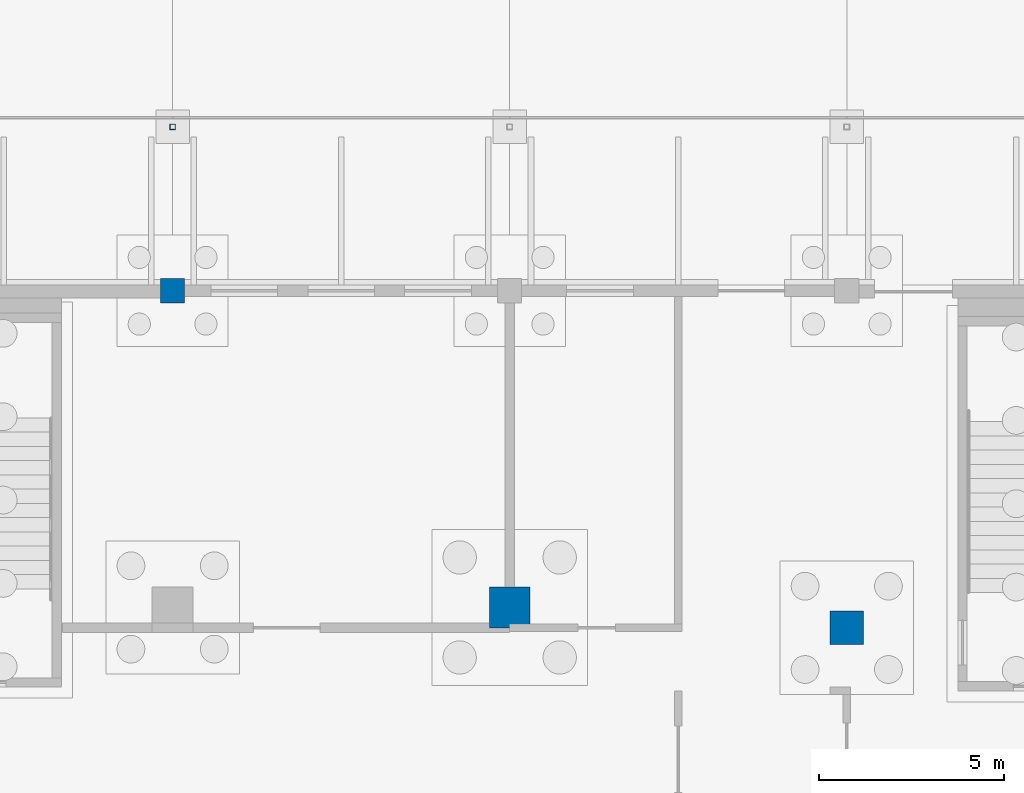
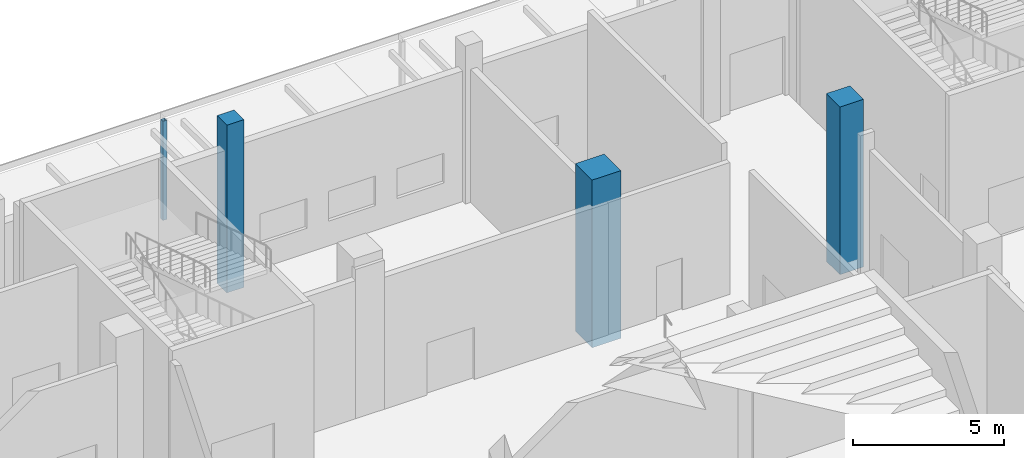
# One storey, part 33 of 129: 4 columns.
"""IFC4 building model written with IfcOpenShell, lengths in metres."""

import ifcopenshell
import ifcopenshell.guid

model = None  # the IFC model being written
_history = None  # IfcOwnerHistory: only IFC2X3 demands one
_inside = {}  # id of a spatial element -> (the spatial element, [elements in it])
_under = {}  # id of a project, library or spatial element -> (it, [spatial elements below it])
_declared = {}  # id of a project -> (the project, [libraries it declares])
_typed = {}  # id of a type object -> (the type object, [elements of that type])
_made_of = {}  # id of a material, layer set ... -> (it, [elements and type objects made of it])


def new_model(schema):
    """Start an empty IFC model of exactly this schema.

    Asked for "IFC4X3", IfcOpenShell would pick the latest addendum, in which some entities
    have other attributes; the version numbers below select the first issue.
    IFC2X3 requires an IfcOwnerHistory on every rooted entity: one is made here for all.
    """
    global model, _history
    if schema == "IFC4X3":
        model = ifcopenshell.file(schema_version=(4, 3, 0, 0))
    else:
        model = ifcopenshell.file(schema=schema)
    _inside.clear()
    _under.clear()
    _declared.clear()
    _typed.clear()
    _made_of.clear()
    _history = None
    if model.schema == "IFC2X3":
        org = make("IfcOrganization", Name="unknown")
        user = make(
            "IfcPersonAndOrganization",
            ThePerson=make("IfcPerson", FamilyName="unknown"),
            TheOrganization=org,
        )
        app = make(
            "IfcApplication",
            ApplicationDeveloper=org,
            Version="unknown",
            ApplicationFullName="unknown",
            ApplicationIdentifier="unknown",
        )
        _history = make(
            "IfcOwnerHistory",
            OwningUser=user,
            OwningApplication=app,
            ChangeAction="ADDED",
            CreationDate=0,
        )
    return model


def make(cls, **values):
    """One entity of the class cls with the attributes given. An attribute that is None is left unset."""
    return model.create_entity(
        cls, **{name: value for name, value in values.items() if value is not None}
    )


def rooted(cls, **values):
    """An entity with a GlobalId (a new one), such as an element, a storey or a relation."""
    return make(cls, GlobalId=ifcopenshell.guid.new(), OwnerHistory=_history, **values)


def si_unit(unit_type, name, prefix=None):
    """IfcSIUnit, for example si_unit("LENGTHUNIT", "METRE", prefix="MILLI")."""
    return make("IfcSIUnit", UnitType=unit_type, Prefix=prefix, Name=name)


def assignment(units):
    """IfcUnitAssignment: the units of a project."""
    return None if units is None else make("IfcUnitAssignment", Units=units)


def point(xyz):
    """IfcCartesianPoint."""
    return None if xyz is None else make("IfcCartesianPoint", Coordinates=xyz)


def direction(xyz):
    """IfcDirection."""
    return None if xyz is None else make("IfcDirection", DirectionRatios=xyz)


def frame(location, z_axis=None, x_axis=None):
    """IfcAxis2Placement3D, a coordinate frame: its origin and axes. An axis left out is left unset."""
    return make(
        "IfcAxis2Placement3D",
        Location=point(location),
        Axis=direction(z_axis),
        RefDirection=direction(x_axis),
    )


def frame_2d(location, x_axis=None):
    """IfcAxis2Placement2D, a coordinate frame in the plane: its origin and x axis."""
    return make(
        "IfcAxis2Placement2D", Location=point(location), RefDirection=direction(x_axis)
    )


def origin():
    """The frame at (0, 0, 0) with its axes left unset."""
    return frame((0.0, 0.0, 0.0))


def origin_2d():
    """The frame at (0, 0) in the plane with its x axis left unset."""
    return frame_2d((0.0, 0.0))


def place(relative_to, where):
    """IfcLocalPlacement: puts the frame where relative to a parent placement (None: the world)."""
    return make(
        "IfcLocalPlacement", PlacementRelTo=relative_to, RelativePlacement=where
    )


def context(
    kind, dimensions, precision=None, world=None, true_north=None, identifier=None
):
    """IfcGeometricRepresentationContext, for example the 3D "Model" context."""
    return make(
        "IfcGeometricRepresentationContext",
        ContextIdentifier=identifier,
        ContextType=kind,
        CoordinateSpaceDimension=dimensions,
        Precision=precision,
        WorldCoordinateSystem=world,
        TrueNorth=true_north,
    )


def subcontext(parent, identifier, kind, view, scale=None):
    """IfcGeometricRepresentationSubContext, for example "Body" below "Model"."""
    return make(
        "IfcGeometricRepresentationSubContext",
        ContextIdentifier=identifier,
        ContextType=kind,
        ParentContext=parent,
        TargetScale=scale,
        TargetView=view,
    )


def project(units=None, contexts=None):
    """IfcProject with its units and contexts."""
    return rooted(
        "IfcProject",
        Name="project",
        RepresentationContexts=contexts,
        UnitsInContext=assignment(units),
    )


def spatial(cls, under=None, at=None, **own):
    """A site, building, storey or space (cls), placed at a placement, below another one or the project."""
    s = rooted(cls, ObjectPlacement=at, **own)
    if under is not None:
        _under.setdefault(under.id(), (under, []))[1].append(s)
    return s


def profile(cls, at=None, kind="AREA", **sizes):
    """A parametric profile (cls). Its sizes go by their IFC names, for example OverallWidth=200.0."""
    return make(cls, ProfileType=kind, Position=at, **sizes)


def rectangle(**sizes):
    """IfcRectangleProfileDef."""
    return profile("IfcRectangleProfileDef", **sizes)


def hollow_rectangle(**sizes):
    """IfcRectangleHollowProfileDef."""
    return profile("IfcRectangleHollowProfileDef", **sizes)


def extrude(swept, where, along, depth):
    """IfcExtrudedAreaSolid: the profile swept, set in the frame where, extruded along a direction by depth."""
    return make(
        "IfcExtrudedAreaSolid",
        SweptArea=swept,
        Position=where,
        ExtrudedDirection=direction(along),
        Depth=depth,
    )


def shape(context_of_items, identifier, shape_type, items):
    """IfcShapeRepresentation: the items that make up one representation, for example the "Body"."""
    return make(
        "IfcShapeRepresentation",
        ContextOfItems=context_of_items,
        RepresentationIdentifier=identifier,
        RepresentationType=shape_type,
        Items=items,
    )


def material(Name=None, Category=None):
    """IfcMaterial."""
    return make("IfcMaterial", Name=Name, Category=Category)


def material_profile(
    of_material, cross_section, Name=None, Category=None, Priority=None
):
    """IfcMaterialProfile: a cross section and its material."""
    return make(
        "IfcMaterialProfile",
        Name=Name,
        Material=of_material,
        Profile=cross_section,
        Priority=Priority,
        Category=Category,
    )


def profile_set(profiles, Name=None, composite=None):
    """IfcMaterialProfileSet."""
    return make(
        "IfcMaterialProfileSet",
        Name=Name,
        MaterialProfiles=profiles,
        CompositeProfile=composite,
    )


def made_of(thing, what):
    """Note that an element or type object is made of a material, layer set ...; save() writes the relation."""
    if what is not None:
        _made_of.setdefault(what.id(), (what, []))[1].append(thing)
    return thing


def type_object(cls, material=None, **own):
    """A type object (cls), such as IfcWallType, which elements share."""
    return made_of(rooted(cls, **own), material)


def element(
    cls,
    number,
    at=None,
    inside=None,
    cuts=None,
    type_object=None,
    material=None,
    context=None,
    identifier="Body",
    shape_type=None,
    held_by="IfcProductDefinitionShape",
    body=None,
    shapes=None,
    **own,
):
    """One element of the class cls, such as IfcWall. Its Tag is "e" and its number.

    at: its placement. inside: the storey or other place that contains it. cuts: it is an
    opening in that element (IfcRelVoidsElement). A single representation is given by context,
    identifier, shape_type and body (its items); several are given by shapes. held_by: the class
    of the entity that holds the representations. save() writes the other relations.
    """
    e = rooted(cls, Tag="e%d" % number, ObjectPlacement=at, **own)
    if body is not None:
        shapes = [shape(context, identifier, shape_type, body)]
    if shapes is not None:
        e.Representation = make(held_by, Representations=shapes)
    if inside is not None:
        _inside.setdefault(inside.id(), (inside, []))[1].append(e)
    if cuts is not None:
        rooted(
            "IfcRelVoidsElement", RelatingBuildingElement=cuts, RelatedOpeningElement=e
        )
    if type_object is not None:
        _typed.setdefault(type_object.id(), (type_object, []))[1].append(e)
    return made_of(e, material)


def aggregate(whole, parts):
    """IfcRelAggregates: a whole, such as a stair, and the parts it consists of."""
    return rooted("IfcRelAggregates", RelatingObject=whole, RelatedObjects=parts)


def save(model, path):
    """Write the relations noted so far, then the file.

    IfcRelAggregates (storeys below a building ...), IfcRelContainedInSpatialStructure (elements
    in a storey), IfcRelDefinesByType, IfcRelAssociatesMaterial and IfcRelDeclares: one each for
    every whole, place, type object, material and project.
    """
    for whole, parts in _under.values():
        aggregate(whole, parts)
    for where, things in _inside.values():
        rooted(
            "IfcRelContainedInSpatialStructure",
            RelatedElements=things,
            RelatingStructure=where,
        )
    for kind, things in _typed.values():
        rooted("IfcRelDefinesByType", RelatedObjects=things, RelatingType=kind)
    for what, things in _made_of.values():
        rooted("IfcRelAssociatesMaterial", RelatedObjects=things, RelatingMaterial=what)
    for by, libraries in _declared.values():
        rooted("IfcRelDeclares", RelatingContext=by, RelatedDefinitions=libraries)
    model.write(path)


model = new_model("IFC4")

# Units and contexts
model_context = context("Model", 3, precision=1e-05, world=origin(), true_north=direction((0.0, 1.0)))
body_context = subcontext(model_context, "Body", "Model", "MODEL_VIEW")
ifc_project = project(units=[si_unit("LENGTHUNIT", "METRE"), si_unit("AREAUNIT", "SQUARE_METRE"), si_unit("VOLUMEUNIT", "CUBIC_METRE"), si_unit("PLANEANGLEUNIT", "RADIAN"), si_unit("MASSUNIT", "GRAM", prefix="KILO")], contexts=[model_context])

# Site, building, storey
site_placement = place(None, origin())
site = spatial("IfcSite", under=ifc_project, at=site_placement, CompositionType="ELEMENT")
building_placement = place(site_placement, origin())
building = spatial("IfcBuilding", under=site, at=building_placement, Name="Shirokan Park Arena", CompositionType="ELEMENT")
storey_placement = place(building_placement, origin())
storey = spatial("IfcBuildingStorey", under=building, at=storey_placement, Name="L00", CompositionType="ELEMENT", Elevation=0.0)

# Columns
ifc_material_1 = material(Name="Concrete C35", Category="concrete")
ifc_material_profile_1 = material_profile(ifc_material_1, rectangle(XDim=1.10009765625, YDim=1.10009765625, at=origin_2d()), Name="1100x1100")
ifc_profile_set_1 = profile_set([ifc_material_profile_1], Name="Concrete C35")
column_type_1 = type_object("IfcColumnType", Name="RC column 1100x1100", PredefinedType="COLUMN", material=ifc_profile_set_1)
column_1_placement = place(storey_placement, frame((100.10009765625, 100.64990234375, -0.39990234375), z_axis=(0.0, 0.0, 1.0), x_axis=(1.0, 0.0, 0.0)))
element("IfcColumn", 1, at=column_1_placement, inside=storey, type_object=column_type_1, Name="Column 12M L00", PredefinedType="COLUMN", context=body_context, shape_type="SweptSolid", body=[
    extrude(rectangle(XDim=1.10009765625, YDim=1.10009765625, at=origin_2d()), origin(), (0.0, 0.0, 1.0), 6.77001953125),
])
ifc_material_profile_2 = material_profile(ifc_material_1, rectangle(XDim=0.64990234375, YDim=0.64990234375, at=origin_2d()), Name="650x650")
ifc_profile_set_2 = profile_set([ifc_material_profile_2], Name="Concrete C35")
column_type_2 = type_object("IfcColumnType", Name="RC column 650x650", PredefinedType="COLUMN", material=ifc_profile_set_2)
column_2_placement = place(storey_placement, frame((91.0, 109.199951171875, -0.39990234375), z_axis=(0.0, 0.0, 1.0), x_axis=(1.0, 0.0, 0.0)))
element("IfcColumn", 2, at=column_2_placement, inside=storey, type_object=column_type_2, Name="Column 11N L00", PredefinedType="COLUMN", context=body_context, shape_type="SweptSolid", body=[
    extrude(rectangle(XDim=0.64990234375, YDim=0.64990234375, at=origin_2d()), origin(), (0.0, 0.0, 1.0), 6.77001953125),
])
ifc_material_profile_3 = material_profile(ifc_material_1, rectangle(XDim=0.89990234375, YDim=0.89990234375, at=origin_2d()), Name="900x900")
ifc_profile_set_3 = profile_set([ifc_material_profile_3], Name="Concrete C35")
column_type_3 = type_object("IfcColumnType", Name="RC column 900x900", PredefinedType="COLUMN", material=ifc_profile_set_3)
column_3_placement = place(storey_placement, frame((109.199951171875, 100.10009765625, -0.39990234375), z_axis=(0.0, 0.0, 1.0), x_axis=(1.0, 0.0, 0.0)))
element("IfcColumn", 3, at=column_3_placement, inside=storey, type_object=column_type_3, Name="Column 13M L00", PredefinedType="COLUMN", context=body_context, shape_type="SweptSolid", body=[
    extrude(rectangle(XDim=0.89990234375, YDim=0.89990234375, at=origin_2d()), origin(), (0.0, 0.0, 1.0), 6.77001953125),
])
ifc_material_2 = material(Name="Steel S355", Category="steel")
ifc_material_profile_4 = material_profile(ifc_material_2, hollow_rectangle(XDim=0.14990234375, YDim=0.14990234375, WallThickness=0.008056640625, at=origin_2d()), Name="RHS 150x150x8")
ifc_profile_set_4 = profile_set([ifc_material_profile_4], Name="Steel S355")
column_type_4 = type_object("IfcColumnType", Name="Steel post RHS 150x150x8", PredefinedType="COLUMN", material=ifc_profile_set_4)
column_4_placement = place(storey_placement, frame((91.0, 113.625, -0.39990234375), z_axis=(0.0, 0.0, 1.0), x_axis=(1.0, 0.0, 0.0)))
element("IfcColumn", 4, at=column_4_placement, inside=storey, type_object=column_type_4, Name="Canopy post north grid 7", PredefinedType="COLUMN", context=body_context, shape_type="SweptSolid", body=[
    extrude(hollow_rectangle(XDim=0.14990234375, YDim=0.14990234375, WallThickness=0.008056640625, at=origin_2d()), origin(), (0.0, 0.0, 1.0), 4.0),
])

save(model, "model.ifc")
